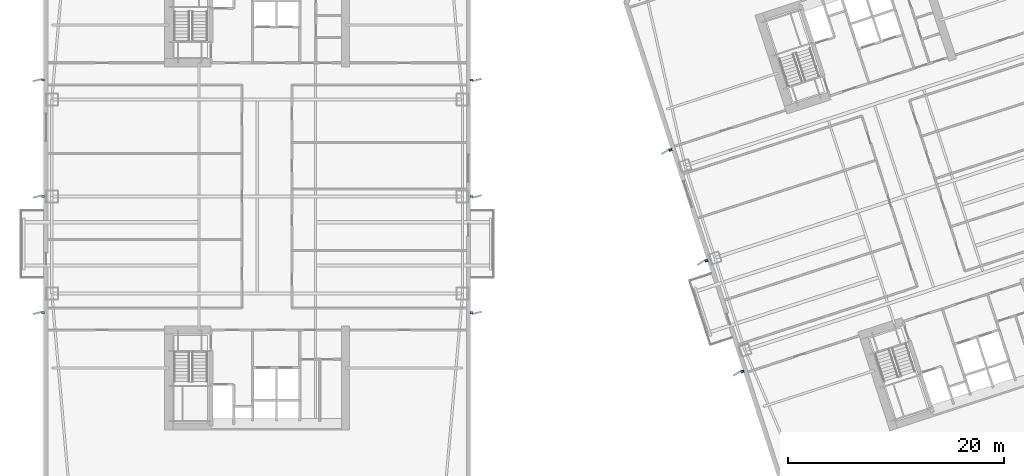
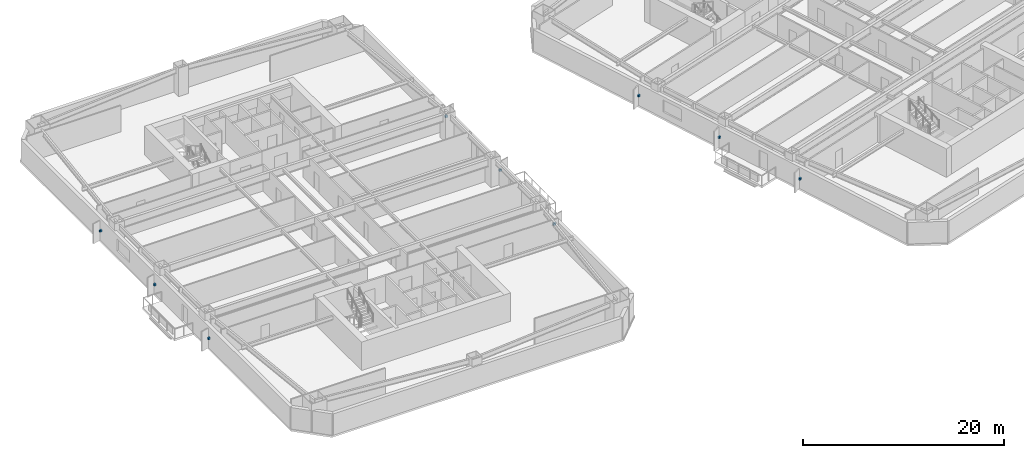
# One storey, part 11 of 18: 9 discrete accessories.
"""IFC4 building model written with IfcOpenShell, lengths in metres."""

import ifcopenshell
import ifcopenshell.guid

model = None  # the IFC model being written
_history = None  # IfcOwnerHistory: only IFC2X3 demands one
_inside = {}  # id of a spatial element -> (the spatial element, [elements in it])
_under = {}  # id of a project, library or spatial element -> (it, [spatial elements below it])
_declared = {}  # id of a project -> (the project, [libraries it declares])
_typed = {}  # id of a type object -> (the type object, [elements of that type])
_made_of = {}  # id of a material, layer set ... -> (it, [elements and type objects made of it])


def new_model(schema):
    """Start an empty IFC model of exactly this schema.

    Asked for "IFC4X3", IfcOpenShell would pick the latest addendum, in which some entities
    have other attributes; the version numbers below select the first issue.
    IFC2X3 requires an IfcOwnerHistory on every rooted entity: one is made here for all.
    """
    global model, _history
    if schema == "IFC4X3":
        model = ifcopenshell.file(schema_version=(4, 3, 0, 0))
    else:
        model = ifcopenshell.file(schema=schema)
    _inside.clear()
    _under.clear()
    _declared.clear()
    _typed.clear()
    _made_of.clear()
    _history = None
    if model.schema == "IFC2X3":
        org = make("IfcOrganization", Name="unknown")
        user = make(
            "IfcPersonAndOrganization",
            ThePerson=make("IfcPerson", FamilyName="unknown"),
            TheOrganization=org,
        )
        app = make(
            "IfcApplication",
            ApplicationDeveloper=org,
            Version="unknown",
            ApplicationFullName="unknown",
            ApplicationIdentifier="unknown",
        )
        _history = make(
            "IfcOwnerHistory",
            OwningUser=user,
            OwningApplication=app,
            ChangeAction="ADDED",
            CreationDate=0,
        )
    return model


def make(cls, **values):
    """One entity of the class cls with the attributes given. An attribute that is None is left unset."""
    return model.create_entity(
        cls, **{name: value for name, value in values.items() if value is not None}
    )


def rooted(cls, **values):
    """An entity with a GlobalId (a new one), such as an element, a storey or a relation."""
    return make(cls, GlobalId=ifcopenshell.guid.new(), OwnerHistory=_history, **values)


def si_unit(unit_type, name, prefix=None):
    """IfcSIUnit, for example si_unit("LENGTHUNIT", "METRE", prefix="MILLI")."""
    return make("IfcSIUnit", UnitType=unit_type, Prefix=prefix, Name=name)


def assignment(units):
    """IfcUnitAssignment: the units of a project."""
    return None if units is None else make("IfcUnitAssignment", Units=units)


def point(xyz):
    """IfcCartesianPoint."""
    return None if xyz is None else make("IfcCartesianPoint", Coordinates=xyz)


def direction(xyz):
    """IfcDirection."""
    return None if xyz is None else make("IfcDirection", DirectionRatios=xyz)


def frame(location, z_axis=None, x_axis=None):
    """IfcAxis2Placement3D, a coordinate frame: its origin and axes. An axis left out is left unset."""
    return make(
        "IfcAxis2Placement3D",
        Location=point(location),
        Axis=direction(z_axis),
        RefDirection=direction(x_axis),
    )


def frame_2d(location, x_axis=None):
    """IfcAxis2Placement2D, a coordinate frame in the plane: its origin and x axis."""
    return make(
        "IfcAxis2Placement2D", Location=point(location), RefDirection=direction(x_axis)
    )


def origin():
    """The frame at (0, 0, 0) with its axes left unset."""
    return frame((0.0, 0.0, 0.0))


def origin_2d():
    """The frame at (0, 0) in the plane with its x axis left unset."""
    return frame_2d((0.0, 0.0))


def place(relative_to, where):
    """IfcLocalPlacement: puts the frame where relative to a parent placement (None: the world)."""
    return make(
        "IfcLocalPlacement", PlacementRelTo=relative_to, RelativePlacement=where
    )


def context(
    kind, dimensions, precision=None, world=None, true_north=None, identifier=None
):
    """IfcGeometricRepresentationContext, for example the 3D "Model" context."""
    return make(
        "IfcGeometricRepresentationContext",
        ContextIdentifier=identifier,
        ContextType=kind,
        CoordinateSpaceDimension=dimensions,
        Precision=precision,
        WorldCoordinateSystem=world,
        TrueNorth=true_north,
    )


def subcontext(parent, identifier, kind, view, scale=None):
    """IfcGeometricRepresentationSubContext, for example "Body" below "Model"."""
    return make(
        "IfcGeometricRepresentationSubContext",
        ContextIdentifier=identifier,
        ContextType=kind,
        ParentContext=parent,
        TargetScale=scale,
        TargetView=view,
    )


def project(units=None, contexts=None):
    """IfcProject with its units and contexts."""
    return rooted(
        "IfcProject",
        Name="project",
        RepresentationContexts=contexts,
        UnitsInContext=assignment(units),
    )


def spatial(cls, under=None, at=None, **own):
    """A site, building, storey or space (cls), placed at a placement, below another one or the project."""
    s = rooted(cls, ObjectPlacement=at, **own)
    if under is not None:
        _under.setdefault(under.id(), (under, []))[1].append(s)
    return s


def profile(cls, at=None, kind="AREA", **sizes):
    """A parametric profile (cls). Its sizes go by their IFC names, for example OverallWidth=200.0."""
    return make(cls, ProfileType=kind, Position=at, **sizes)


def rectangle(**sizes):
    """IfcRectangleProfileDef."""
    return profile("IfcRectangleProfileDef", **sizes)


def extrude(swept, where, along, depth):
    """IfcExtrudedAreaSolid: the profile swept, set in the frame where, extruded along a direction by depth."""
    return make(
        "IfcExtrudedAreaSolid",
        SweptArea=swept,
        Position=where,
        ExtrudedDirection=direction(along),
        Depth=depth,
    )


def shape(context_of_items, identifier, shape_type, items):
    """IfcShapeRepresentation: the items that make up one representation, for example the "Body"."""
    return make(
        "IfcShapeRepresentation",
        ContextOfItems=context_of_items,
        RepresentationIdentifier=identifier,
        RepresentationType=shape_type,
        Items=items,
    )


def material(Name=None, Category=None):
    """IfcMaterial."""
    return make("IfcMaterial", Name=Name, Category=Category)


def made_of(thing, what):
    """Note that an element or type object is made of a material, layer set ...; save() writes the relation."""
    if what is not None:
        _made_of.setdefault(what.id(), (what, []))[1].append(thing)
    return thing


def type_object(cls, material=None, **own):
    """A type object (cls), such as IfcWallType, which elements share."""
    return made_of(rooted(cls, **own), material)


def element(
    cls,
    number,
    at=None,
    inside=None,
    cuts=None,
    type_object=None,
    material=None,
    context=None,
    identifier="Body",
    shape_type=None,
    held_by="IfcProductDefinitionShape",
    body=None,
    shapes=None,
    **own,
):
    """One element of the class cls, such as IfcWall. Its Tag is "e" and its number.

    at: its placement. inside: the storey or other place that contains it. cuts: it is an
    opening in that element (IfcRelVoidsElement). A single representation is given by context,
    identifier, shape_type and body (its items); several are given by shapes. held_by: the class
    of the entity that holds the representations. save() writes the other relations.
    """
    e = rooted(cls, Tag="e%d" % number, ObjectPlacement=at, **own)
    if body is not None:
        shapes = [shape(context, identifier, shape_type, body)]
    if shapes is not None:
        e.Representation = make(held_by, Representations=shapes)
    if inside is not None:
        _inside.setdefault(inside.id(), (inside, []))[1].append(e)
    if cuts is not None:
        rooted(
            "IfcRelVoidsElement", RelatingBuildingElement=cuts, RelatedOpeningElement=e
        )
    if type_object is not None:
        _typed.setdefault(type_object.id(), (type_object, []))[1].append(e)
    return made_of(e, material)


def aggregate(whole, parts):
    """IfcRelAggregates: a whole, such as a stair, and the parts it consists of."""
    return rooted("IfcRelAggregates", RelatingObject=whole, RelatedObjects=parts)


def save(model, path):
    """Write the relations noted so far, then the file.

    IfcRelAggregates (storeys below a building ...), IfcRelContainedInSpatialStructure (elements
    in a storey), IfcRelDefinesByType, IfcRelAssociatesMaterial and IfcRelDeclares: one each for
    every whole, place, type object, material and project.
    """
    for whole, parts in _under.values():
        aggregate(whole, parts)
    for where, things in _inside.values():
        rooted(
            "IfcRelContainedInSpatialStructure",
            RelatedElements=things,
            RelatingStructure=where,
        )
    for kind, things in _typed.values():
        rooted("IfcRelDefinesByType", RelatedObjects=things, RelatingType=kind)
    for what, things in _made_of.values():
        rooted("IfcRelAssociatesMaterial", RelatedObjects=things, RelatingMaterial=what)
    for by, libraries in _declared.values():
        rooted("IfcRelDeclares", RelatingContext=by, RelatedDefinitions=libraries)
    model.write(path)


model = new_model("IFC4")

# Units and contexts
model_context = context("Model", 3, precision=1e-05, world=origin(), true_north=direction((0.0, 1.0)))
body_context = subcontext(model_context, "Body", "Model", "MODEL_VIEW")
ifc_project = project(units=[si_unit("LENGTHUNIT", "METRE"), si_unit("AREAUNIT", "SQUARE_METRE"), si_unit("VOLUMEUNIT", "CUBIC_METRE"), si_unit("PLANEANGLEUNIT", "RADIAN"), si_unit("MASSUNIT", "GRAM", prefix="KILO")], contexts=[model_context])

# Site, building, storey
site_placement = place(None, origin())
site = spatial("IfcSite", under=ifc_project, at=site_placement, CompositionType="ELEMENT")
building_placement = place(site_placement, origin())
building = spatial("IfcBuilding", under=site, at=building_placement, Name="Qiaolan Cultural Towers", CompositionType="ELEMENT")
storey_placement = place(building_placement, frame((0.0, 0.0, 67.85009765625)))
storey = spatial("IfcBuildingStorey", under=building, at=storey_placement, Name="L16", CompositionType="ELEMENT", Elevation=67.85009765625)

# Discrete accessories
ifc_material = material(Name="Stainless Steel S31608 Facade Anchor Bracket", Category="steel")
discrete_accessory_type = type_object("IfcDiscreteAccessoryType", Name="ACC-BRK-SS", PredefinedType="BRACKET", material=ifc_material)
for number, where, z_axis, x_axis, name in (
    (1, (10.1201171875, 23.199951171875, 1.18505859375), (0.0, 0.0, 1.0), (1.0, 0.0, 0.0), "L16 T1 Facade Fin Anchor Bracket W1"),
    (2, (10.1201171875, 34.0, 1.18505859375), (0.0, 0.0, 1.0), (1.0, 0.0, 0.0), "L16 T1 Facade Fin Anchor Bracket W2"),
    (3, (10.1201171875, 44.800048828125, 1.18505859375), (0.0, 0.0, 1.0), (1.0, 0.0, 0.0), "L16 T1 Facade Fin Anchor Bracket W3"),
    (4, (49.8798828125, 23.199951171875, 1.18505859375), (0.0, 0.0, 1.0), (1.0, 0.0, 0.0), "L16 T1 Facade Fin Anchor Bracket E1"),
    (5, (49.8798828125, 34.0, 1.18505859375), (0.0, 0.0, 1.0), (1.0, 0.0, 0.0), "L16 T1 Facade Fin Anchor Bracket E2"),
    (6, (49.8798828125, 44.800048828125, 1.18505859375), (0.0, 0.0, 1.0), (1.0, 0.0, 0.0), "L16 T1 Facade Fin Anchor Bracket E3"),
    (7, (75.0009765625, 17.770751953125, 1.18505859375), (0.0, 0.0, 1.0), (0.951056516295, 0.309016994375, 0.0), "L16 T2 Facade Fin Anchor Bracket W1"),
    (8, (71.66357421875, 28.042236328125, 1.18505859375), (0.0, 0.0, 1.0), (0.951056516295, 0.309016994375, 0.0), "L16 T2 Facade Fin Anchor Bracket W2"),
    (9, (68.326171875, 38.3134765625, 1.18505859375), (0.0, 0.0, 1.0), (0.951056516295, 0.309016994375, 0.0), "L16 T2 Facade Fin Anchor Bracket W3"),
):
    element("IfcDiscreteAccessory", number, at=place(storey_placement, frame(where, z_axis=z_axis, x_axis=x_axis)), inside=storey, type_object=discrete_accessory_type, Name=name, PredefinedType="BRACKET", context=body_context, shape_type="SweptSolid", body=[
        extrude(rectangle(XDim=0.280029296875, YDim=0.219970703125, at=origin_2d()), origin(), (0.0, 0.0, 1.0), 0.239990234375),
    ])

save(model, "model.ifc")
